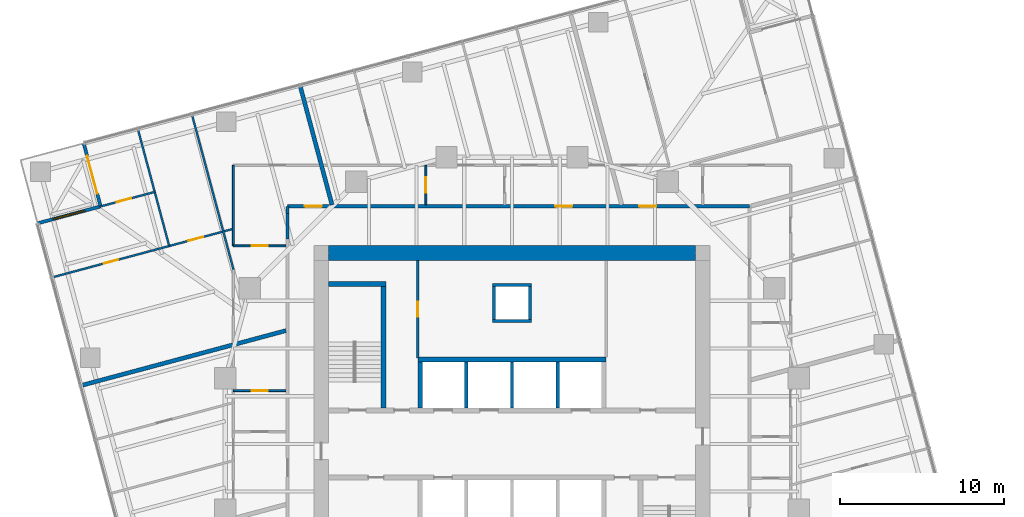
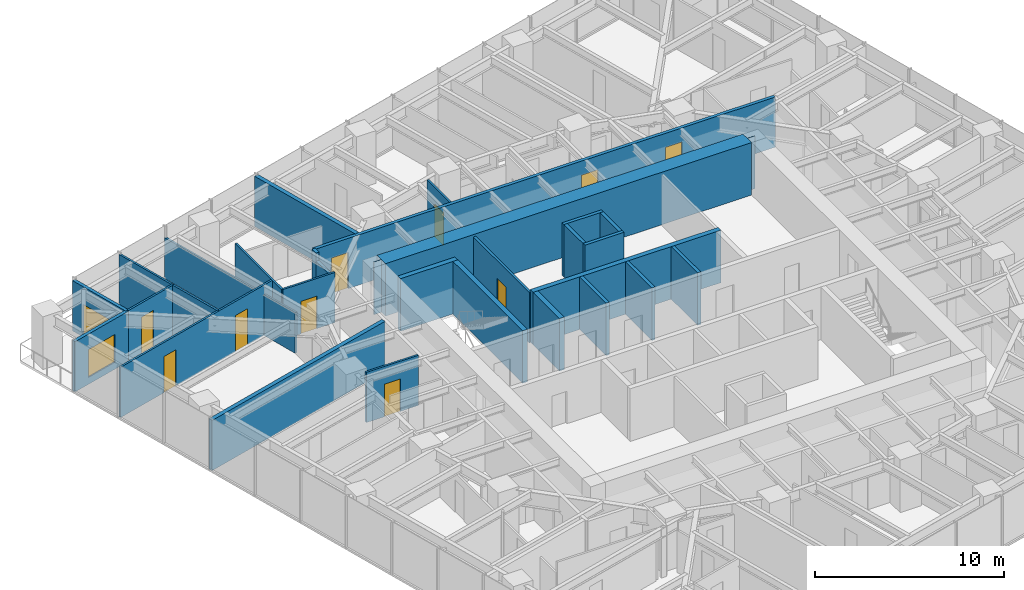
# One storey, part 11 of 13: 28 walls, 11 doors, 1 window, 12 openings.
"""IFC4 building model written with IfcOpenShell, lengths in metres."""

import ifcopenshell
import ifcopenshell.guid

model = None  # the IFC model being written
_history = None  # IfcOwnerHistory: only IFC2X3 demands one
_inside = {}  # id of a spatial element -> (the spatial element, [elements in it])
_under = {}  # id of a project, library or spatial element -> (it, [spatial elements below it])
_declared = {}  # id of a project -> (the project, [libraries it declares])
_typed = {}  # id of a type object -> (the type object, [elements of that type])
_made_of = {}  # id of a material, layer set ... -> (it, [elements and type objects made of it])


def new_model(schema):
    """Start an empty IFC model of exactly this schema.

    Asked for "IFC4X3", IfcOpenShell would pick the latest addendum, in which some entities
    have other attributes; the version numbers below select the first issue.
    IFC2X3 requires an IfcOwnerHistory on every rooted entity: one is made here for all.
    """
    global model, _history
    if schema == "IFC4X3":
        model = ifcopenshell.file(schema_version=(4, 3, 0, 0))
    else:
        model = ifcopenshell.file(schema=schema)
    _inside.clear()
    _under.clear()
    _declared.clear()
    _typed.clear()
    _made_of.clear()
    _history = None
    if model.schema == "IFC2X3":
        org = make("IfcOrganization", Name="unknown")
        user = make(
            "IfcPersonAndOrganization",
            ThePerson=make("IfcPerson", FamilyName="unknown"),
            TheOrganization=org,
        )
        app = make(
            "IfcApplication",
            ApplicationDeveloper=org,
            Version="unknown",
            ApplicationFullName="unknown",
            ApplicationIdentifier="unknown",
        )
        _history = make(
            "IfcOwnerHistory",
            OwningUser=user,
            OwningApplication=app,
            ChangeAction="ADDED",
            CreationDate=0,
        )
    return model


def make(cls, **values):
    """One entity of the class cls with the attributes given. An attribute that is None is left unset."""
    return model.create_entity(
        cls, **{name: value for name, value in values.items() if value is not None}
    )


def rooted(cls, **values):
    """An entity with a GlobalId (a new one), such as an element, a storey or a relation."""
    return make(cls, GlobalId=ifcopenshell.guid.new(), OwnerHistory=_history, **values)


def si_unit(unit_type, name, prefix=None):
    """IfcSIUnit, for example si_unit("LENGTHUNIT", "METRE", prefix="MILLI")."""
    return make("IfcSIUnit", UnitType=unit_type, Prefix=prefix, Name=name)


def assignment(units):
    """IfcUnitAssignment: the units of a project."""
    return None if units is None else make("IfcUnitAssignment", Units=units)


def point(xyz):
    """IfcCartesianPoint."""
    return None if xyz is None else make("IfcCartesianPoint", Coordinates=xyz)


def direction(xyz):
    """IfcDirection."""
    return None if xyz is None else make("IfcDirection", DirectionRatios=xyz)


def frame(location, z_axis=None, x_axis=None):
    """IfcAxis2Placement3D, a coordinate frame: its origin and axes. An axis left out is left unset."""
    return make(
        "IfcAxis2Placement3D",
        Location=point(location),
        Axis=direction(z_axis),
        RefDirection=direction(x_axis),
    )


def frame_2d(location, x_axis=None):
    """IfcAxis2Placement2D, a coordinate frame in the plane: its origin and x axis."""
    return make(
        "IfcAxis2Placement2D", Location=point(location), RefDirection=direction(x_axis)
    )


def origin():
    """The frame at (0, 0, 0) with its axes left unset."""
    return frame((0.0, 0.0, 0.0))


def place(relative_to, where):
    """IfcLocalPlacement: puts the frame where relative to a parent placement (None: the world)."""
    return make(
        "IfcLocalPlacement", PlacementRelTo=relative_to, RelativePlacement=where
    )


def context(
    kind, dimensions, precision=None, world=None, true_north=None, identifier=None
):
    """IfcGeometricRepresentationContext, for example the 3D "Model" context."""
    return make(
        "IfcGeometricRepresentationContext",
        ContextIdentifier=identifier,
        ContextType=kind,
        CoordinateSpaceDimension=dimensions,
        Precision=precision,
        WorldCoordinateSystem=world,
        TrueNorth=true_north,
    )


def subcontext(parent, identifier, kind, view, scale=None):
    """IfcGeometricRepresentationSubContext, for example "Body" below "Model"."""
    return make(
        "IfcGeometricRepresentationSubContext",
        ContextIdentifier=identifier,
        ContextType=kind,
        ParentContext=parent,
        TargetScale=scale,
        TargetView=view,
    )


def project(units=None, contexts=None):
    """IfcProject with its units and contexts."""
    return rooted(
        "IfcProject",
        Name="project",
        RepresentationContexts=contexts,
        UnitsInContext=assignment(units),
    )


def spatial(cls, under=None, at=None, **own):
    """A site, building, storey or space (cls), placed at a placement, below another one or the project."""
    s = rooted(cls, ObjectPlacement=at, **own)
    if under is not None:
        _under.setdefault(under.id(), (under, []))[1].append(s)
    return s


def polyline(points):
    """IfcPolyline through the points."""
    return make("IfcPolyline", Points=[point(p) for p in points])


def profile(cls, at=None, kind="AREA", **sizes):
    """A parametric profile (cls). Its sizes go by their IFC names, for example OverallWidth=200.0."""
    return make(cls, ProfileType=kind, Position=at, **sizes)


def rectangle(**sizes):
    """IfcRectangleProfileDef."""
    return profile("IfcRectangleProfileDef", **sizes)


def outline(outer, holes=None, kind="AREA"):
    """IfcArbitraryClosedProfileDef: a profile drawn as a closed curve; with holes, ...WithVoids."""
    if holes is None:
        return make("IfcArbitraryClosedProfileDef", ProfileType=kind, OuterCurve=outer)
    return make(
        "IfcArbitraryProfileDefWithVoids",
        ProfileType=kind,
        OuterCurve=outer,
        InnerCurves=holes,
    )


def extrude(swept, where, along, depth):
    """IfcExtrudedAreaSolid: the profile swept, set in the frame where, extruded along a direction by depth."""
    return make(
        "IfcExtrudedAreaSolid",
        SweptArea=swept,
        Position=where,
        ExtrudedDirection=direction(along),
        Depth=depth,
    )


def shape(context_of_items, identifier, shape_type, items):
    """IfcShapeRepresentation: the items that make up one representation, for example the "Body"."""
    return make(
        "IfcShapeRepresentation",
        ContextOfItems=context_of_items,
        RepresentationIdentifier=identifier,
        RepresentationType=shape_type,
        Items=items,
    )


def material(Name=None, Category=None):
    """IfcMaterial."""
    return make("IfcMaterial", Name=Name, Category=Category)


def layer(
    of_material, thickness, ventilated=None, Name=None, Category=None, Priority=None
):
    """IfcMaterialLayer: one layer of a wall or slab, of a material (None: an air gap)."""
    return make(
        "IfcMaterialLayer",
        Material=of_material,
        LayerThickness=thickness,
        IsVentilated=ventilated,
        Name=Name,
        Category=Category,
        Priority=Priority,
    )


def layer_set(layers, Name=None):
    """IfcMaterialLayerSet."""
    return make("IfcMaterialLayerSet", MaterialLayers=layers, LayerSetName=Name)


def made_of(thing, what):
    """Note that an element or type object is made of a material, layer set ...; save() writes the relation."""
    if what is not None:
        _made_of.setdefault(what.id(), (what, []))[1].append(thing)
    return thing


def type_object(cls, material=None, **own):
    """A type object (cls), such as IfcWallType, which elements share."""
    return made_of(rooted(cls, **own), material)


def element(
    cls,
    number,
    at=None,
    inside=None,
    cuts=None,
    type_object=None,
    material=None,
    context=None,
    identifier="Body",
    shape_type=None,
    held_by="IfcProductDefinitionShape",
    body=None,
    shapes=None,
    **own,
):
    """One element of the class cls, such as IfcWall. Its Tag is "e" and its number.

    at: its placement. inside: the storey or other place that contains it. cuts: it is an
    opening in that element (IfcRelVoidsElement). A single representation is given by context,
    identifier, shape_type and body (its items); several are given by shapes. held_by: the class
    of the entity that holds the representations. save() writes the other relations.
    """
    e = rooted(cls, Tag="e%d" % number, ObjectPlacement=at, **own)
    if body is not None:
        shapes = [shape(context, identifier, shape_type, body)]
    if shapes is not None:
        e.Representation = make(held_by, Representations=shapes)
    if inside is not None:
        _inside.setdefault(inside.id(), (inside, []))[1].append(e)
    if cuts is not None:
        rooted(
            "IfcRelVoidsElement", RelatingBuildingElement=cuts, RelatedOpeningElement=e
        )
    if type_object is not None:
        _typed.setdefault(type_object.id(), (type_object, []))[1].append(e)
    return made_of(e, material)


def fill(opening, filler):
    """IfcRelFillsElement: the door or window that sits in an opening."""
    return rooted(
        "IfcRelFillsElement",
        RelatingOpeningElement=opening,
        RelatedBuildingElement=filler,
    )


def aggregate(whole, parts):
    """IfcRelAggregates: a whole, such as a stair, and the parts it consists of."""
    return rooted("IfcRelAggregates", RelatingObject=whole, RelatedObjects=parts)


def save(model, path):
    """Write the relations noted so far, then the file.

    IfcRelAggregates (storeys below a building ...), IfcRelContainedInSpatialStructure (elements
    in a storey), IfcRelDefinesByType, IfcRelAssociatesMaterial and IfcRelDeclares: one each for
    every whole, place, type object, material and project.
    """
    for whole, parts in _under.values():
        aggregate(whole, parts)
    for where, things in _inside.values():
        rooted(
            "IfcRelContainedInSpatialStructure",
            RelatedElements=things,
            RelatingStructure=where,
        )
    for kind, things in _typed.values():
        rooted("IfcRelDefinesByType", RelatedObjects=things, RelatingType=kind)
    for what, things in _made_of.values():
        rooted("IfcRelAssociatesMaterial", RelatedObjects=things, RelatingMaterial=what)
    for by, libraries in _declared.values():
        rooted("IfcRelDeclares", RelatingContext=by, RelatedDefinitions=libraries)
    model.write(path)


model = new_model("IFC4")

# Units and contexts
model_context = context("Model", 3, precision=1e-05, world=origin(), true_north=direction((0.0, 1.0)))
body_context = subcontext(model_context, "Body", "Model", "MODEL_VIEW")
ifc_project = project(units=[si_unit("LENGTHUNIT", "METRE"), si_unit("AREAUNIT", "SQUARE_METRE"), si_unit("VOLUMEUNIT", "CUBIC_METRE"), si_unit("PLANEANGLEUNIT", "RADIAN"), si_unit("MASSUNIT", "GRAM", prefix="KILO")], contexts=[model_context])

# Site, building, storey
site_placement = place(None, origin())
site = spatial("IfcSite", under=ifc_project, at=site_placement, CompositionType="ELEMENT")
building_placement = place(site_placement, origin())
building = spatial("IfcBuilding", under=site, at=building_placement, Name="Torsade Residences", CompositionType="ELEMENT")
storey_placement = place(building_placement, frame((0.0, 0.0, 118.39990234375)))
storey = spatial("IfcBuildingStorey", under=building, at=storey_placement, Name="L32", CompositionType="ELEMENT", Elevation=118.39990234375)

# Walls
ifc_material_1 = material(Name="Concrete 80 MPa", Category="concrete")
ifc_layer_1 = layer(ifc_material_1, 0.300048828125)
ifc_layer_set_1 = layer_set([ifc_layer_1], Name="Concrete 80 MPa")
wall_type_1 = type_object("IfcWallType", Name="CORE INTERNAL WALL 300", PredefinedType="SHEAR", material=ifc_layer_set_1)
wall_1_placement = place(storey_placement, frame((34.25, 35.14990234375, 0.0), z_axis=(0.0, 0.0, 1.0), x_axis=(1.0, 0.0, 0.0)))
element("IfcWall", 1, at=wall_1_placement, inside=storey, type_object=wall_type_1, Name="Core wall BN L32", PredefinedType="SHEAR", context=body_context, shape_type="SweptSolid", body=[
    extrude(rectangle(XDim=11.5, YDim=0.300048828125, at=frame_2d((5.75, 0.0))), origin(), (0.0, 0.0, 1.0), 3.400146484375),
])
wall_2_placement = place(storey_placement, frame((34.39990234375, 32.199951171875, 0.0), z_axis=(0.0, 0.0, 1.0), x_axis=(0.0, 1.0, 0.0)))
element("IfcWall", 2, at=wall_2_placement, inside=storey, type_object=wall_type_1, Name="Core wall DN0 L32", PredefinedType="SHEAR", context=body_context, shape_type="SweptSolid", body=[
    extrude(rectangle(XDim=2.800048828125, YDim=0.300048828125, at=frame_2d((1.39990234375, 0.0))), origin(), (0.0, 0.0, 1.0), 3.400146484375),
])
wall_3_placement = place(storey_placement, frame((32.14990234375, 32.199951171875, 0.0), z_axis=(0.0, 0.0, 1.0), x_axis=(0.0, 1.0, 0.0)))
element("IfcWall", 3, at=wall_3_placement, inside=storey, type_object=wall_type_1, Name="Core wall ST1E L32", PredefinedType="SHEAR", context=body_context, shape_type="SweptSolid", body=[
    extrude(rectangle(XDim=7.699951171875, YDim=0.300048828125, at=frame_2d((3.85009765625, 0.0))), origin(), (0.0, 0.0, 1.0), 3.400146484375),
])
wall_4_placement = place(storey_placement, frame((28.800048828125, 39.75, 0.0), z_axis=(0.0, 0.0, 1.0), x_axis=(1.0, 0.0, 0.0)))
element("IfcWall", 4, at=wall_4_placement, inside=storey, type_object=wall_type_1, Name="Core wall ST1N L32", PredefinedType="SHEAR", context=body_context, shape_type="SweptSolid", body=[
    extrude(rectangle(XDim=3.5, YDim=0.300048828125, at=frame_2d((1.75, 0.0))), origin(), (0.0, 0.0, 1.0), 3.400146484375),
])
ifc_material_2 = material(Name="Concrete 80 MPa", Category="concrete")
ifc_layer_2 = layer(ifc_material_2, 0.89990234375)
ifc_layer_set_2 = layer_set([ifc_layer_2], Name="Concrete 80 MPa")
wall_type_2 = type_object("IfcWallType", Name="CORE WALL 900", PredefinedType="SHEAR", material=ifc_layer_set_2)
wall_5_placement = place(storey_placement, frame((28.800048828125, 41.64990234375, 0.0), z_axis=(0.0, 0.0, 1.0), x_axis=(1.0, 0.0, 0.0)))
element("IfcWall", 5, at=wall_5_placement, inside=storey, type_object=wall_type_2, Name="Core wall N L32", PredefinedType="SHEAR", context=body_context, shape_type="SweptSolid", body=[
    extrude(outline(polyline([(0.0, -0.449951171875), (22.39990234375, -0.449951171875), (22.39990234375, -0.02490234375), (22.849853515625, -0.02490234375), (22.849853515625, 0.02490234375), (22.39990234375, 0.02490234375), (22.39990234375, 0.449951171875), (0.0, 0.449951171875), (0.0, 0.02490234375), (-0.449951171875, 0.02490234375), (-0.449951171875, -0.02490234375), (0.0, -0.02490234375), (0.0, -0.449951171875)])), origin(), (0.0, 0.0, 1.0), 3.400146484375),
])

# Wall, openings, doors
ifc_material_3 = material(Name="Plasterboard on steel stud", Category="steel")
ifc_layer_3 = layer(ifc_material_3, 0.199951171875)
ifc_layer_set_3 = layer_set([ifc_layer_3], Name="Plasterboard on steel stud")
wall_type_3 = type_object("IfcWallType", Name="CORRIDOR WALL 200", PredefinedType="PARTITIONING", material=ifc_layer_set_3)
wall_6_placement = place(storey_placement, frame((54.5, 44.5, 0.0), z_axis=(0.0, 0.0, 1.0), x_axis=(-1.0, 0.0, 0.0)))
wall_6 = element("IfcWall", 6, at=wall_6_placement, inside=storey, type_object=wall_type_3, Name="Corridor wall L32", PredefinedType="PARTITIONING", context=body_context, shape_type="SweptSolid", body=[
    extrude(rectangle(XDim=28.199951171875, YDim=0.199951171875, at=frame_2d((14.10009765625, 0.0))), origin(), (0.0, 0.0, 1.0), 3.25),
])
opening_1_placement = place(wall_6_placement, frame((10.8369140625, 0.0, 0.0)))
opening_1 = element("IfcOpeningElement", 7, at=opening_1_placement, cuts=wall_6, Name="Opening D01", PredefinedType="OPENING", context=body_context, shape_type="SweptSolid", body=[
    extrude(rectangle(XDim=1.02001953125, YDim=2.340087890625, at=frame_2d((0.510009765625, 1.169921875))), frame((0.0, 0.10986328125, 0.0), z_axis=(0.0, -1.0, 0.0), x_axis=(1.0, 0.0, 0.0)), (0.0, 0.0, 1.0), 0.219970703125),
])
opening_2_placement = place(wall_6_placement, frame((5.699951171875, 0.0, 0.0)))
opening_2 = element("IfcOpeningElement", 8, at=opening_2_placement, cuts=wall_6, Name="Opening D01", PredefinedType="OPENING", context=body_context, shape_type="SweptSolid", body=[
    extrude(rectangle(XDim=1.02001953125, YDim=2.340087890625, at=frame_2d((0.510009765625, 1.169921875))), frame((0.0, 0.10986328125, 0.0), z_axis=(0.0, -1.0, 0.0), x_axis=(1.0, 0.0, 0.0)), (0.0, 0.0, 1.0), 0.219970703125),
])
opening_3_placement = place(wall_6_placement, frame((26.126953125, 0.0, 0.0)))
opening_3 = element("IfcOpeningElement", 9, at=opening_3_placement, cuts=wall_6, Name="Opening D01", PredefinedType="OPENING", context=body_context, shape_type="SweptSolid", body=[
    extrude(rectangle(XDim=1.02001953125, YDim=2.340087890625, at=frame_2d((0.510009765625, 1.169921875))), frame((0.0, 0.10986328125, 0.0), z_axis=(0.0, -1.0, 0.0), x_axis=(1.0, 0.0, 0.0)), (0.0, 0.0, 1.0), 0.219970703125),
])
ifc_material_4 = material(Name="Solid-core timber fire door", Category="wood")
door_type_1 = type_object("IfcDoorType", Name="APARTMENT ENTRY DOOR 1020x2340", OperationType="NOTDEFINED", PredefinedType="DOOR", material=ifc_material_4)
door_1_placement = place(opening_1_placement, origin())
door_1 = element("IfcDoor", 10, at=door_1_placement, inside=storey, type_object=door_type_1, Name="Door Residential corridor to Kitchen and dining", OperationType="SINGLE_SWING_RIGHT", OverallHeight=2.340087890625, OverallWidth=1.02001953125, PredefinedType="DOOR", context=body_context, shape_type="SweptSolid", body=[
    extrude(rectangle(XDim=1.02001953125, YDim=2.340087890625, at=frame_2d((0.510009765625, 1.169921875))), frame((0.0, 0.02490234375, 0.0), z_axis=(0.0, -1.0, 0.0), x_axis=(1.0, 0.0, 0.0)), (0.0, 0.0, 1.0), 0.050048828125),
])
fill(opening_1, door_1)
door_2_placement = place(opening_2_placement, origin())
door_2 = element("IfcDoor", 11, at=door_2_placement, inside=storey, type_object=door_type_1, Name="Door Residential corridor to Kitchen and dining", OperationType="SINGLE_SWING_RIGHT", OverallHeight=2.340087890625, OverallWidth=1.02001953125, PredefinedType="DOOR", context=body_context, shape_type="SweptSolid", body=[
    extrude(rectangle(XDim=1.02001953125, YDim=2.340087890625, at=frame_2d((0.510009765625, 1.169921875))), frame((0.0, 0.02490234375, 0.0), z_axis=(0.0, -1.0, 0.0), x_axis=(1.0, 0.0, 0.0)), (0.0, 0.0, 1.0), 0.050048828125),
])
fill(opening_2, door_2)
door_3_placement = place(opening_3_placement, origin())
door_3 = element("IfcDoor", 12, at=door_3_placement, inside=storey, type_object=door_type_1, Name="Door Residential corridor to Kitchen and dining", OperationType="SINGLE_SWING_RIGHT", OverallHeight=2.340087890625, OverallWidth=1.02001953125, PredefinedType="DOOR", context=body_context, shape_type="SweptSolid", body=[
    extrude(rectangle(XDim=1.02001953125, YDim=2.340087890625, at=frame_2d((0.510009765625, 1.169921875))), frame((0.0, 0.02490234375, 0.0), z_axis=(0.0, -1.0, 0.0), x_axis=(1.0, 0.0, 0.0)), (0.0, 0.0, 1.0), 0.050048828125),
])
fill(opening_3, door_3)

# Walls
wall_7_placement = place(storey_placement, frame((26.300048828125, 44.5, 0.0), z_axis=(0.0, 0.0, 1.0), x_axis=(0.0, -1.0, 0.0)))
element("IfcWall", 13, at=wall_7_placement, inside=storey, type_object=wall_type_3, Name="Corridor wall L32", PredefinedType="PARTITIONING", context=body_context, shape_type="SweptSolid", body=[
    extrude(rectangle(XDim=0.426025390625, YDim=0.199951171875, at=frame_2d((0.212890625, 0.0))), origin(), (0.0, 0.0, 1.0), 3.25),
])
wall_8_placement = place(storey_placement, frame((26.300048828125, 44.073974609375, 0.0), z_axis=(0.0, 0.0, 1.0), x_axis=(0.0, -1.0, 0.0)))
element("IfcWall", 14, at=wall_8_placement, inside=storey, type_object=wall_type_3, Name="Corridor wall L32", PredefinedType="PARTITIONING", context=body_context, shape_type="SweptSolid", body=[
    extrude(rectangle(XDim=1.553955078125, YDim=0.199951171875, at=frame_2d((0.77685546875, 0.0))), origin(), (0.0, 0.0, 1.0), 2.72216796875),
])
ifc_material_5 = material(Name="Reinforced blockwork", Category="masonry")
ifc_layer_4 = layer(ifc_material_5, 0.199951171875)
ifc_layer_set_4 = layer_set([ifc_layer_4], Name="Reinforced blockwork")
wall_type_4 = type_object("IfcWallType", Name="LIFT SHAFT DIVIDING WALL 200", PredefinedType="SOLIDWALL", material=ifc_layer_set_4)
for number, where, z_axis, x_axis, name in (
    (15, (37.199951171875, 32.199951171875, 0.0), (0.0, 0.0, 1.0), (0.0, 1.0, 0.0), "Core wall DN1 L32"),
    (16, (40.0, 32.199951171875, 0.0), (0.0, 0.0, 1.0), (0.0, 1.0, 0.0), "Core wall DN2 L32"),
    (17, (42.800048828125, 32.199951171875, 0.0), (0.0, 0.0, 1.0), (0.0, 1.0, 0.0), "Core wall DN3 L32"),
):
    element("IfcWall", number, at=place(storey_placement, frame(where, z_axis=z_axis, x_axis=x_axis)), inside=storey, type_object=wall_type_4, Name=name, PredefinedType="SOLIDWALL", context=body_context, shape_type="SweptSolid", body=[
        extrude(rectangle(XDim=2.800048828125, YDim=0.199951171875, at=frame_2d((1.39990234375, 0.0))), origin(), (0.0, 0.0, 1.0), 3.400146484375),
    ])

# Wall, opening, door
ifc_material_6 = material(Name="Plasterboard on steel stud", Category="steel")
ifc_layer_5 = layer(ifc_material_6, 0.1201171875)
ifc_layer_set_5 = layer_set([ifc_layer_5], Name="Plasterboard on steel stud")
wall_type_5 = type_object("IfcWallType", Name="PARTITION 120", PredefinedType="PARTITIONING", material=ifc_layer_set_5)
wall_9_placement = place(storey_placement, frame((34.74462890625, 47.0, 0.0), z_axis=(0.0, 0.0, 1.0), x_axis=(0.0, -1.0, 0.0)))
wall_9 = element("IfcWall", 18, at=wall_9_placement, inside=storey, type_object=wall_type_5, Name="Partition L32", PredefinedType="PARTITIONING", context=body_context, shape_type="SweptSolid", body=[
    extrude(rectangle(XDim=2.39990234375, YDim=0.1201171875, at=frame_2d((1.199951171875, 0.0))), origin(), (0.0, 0.0, 1.0), 3.25),
])
opening_4_placement = place(wall_9_placement, frame((0.719970703125, 0.0, 0.0)))
opening_4 = element("IfcOpeningElement", 19, at=opening_4_placement, cuts=wall_9, Name="Opening D05", PredefinedType="OPENING", context=body_context, shape_type="SweptSolid", body=[
    extrude(rectangle(XDim=0.9599609375, YDim=2.10009765625, at=frame_2d((0.47998046875, 1.050048828125))), frame((0.0, 0.070068359375, 0.0), z_axis=(0.0, -1.0, 0.0), x_axis=(1.0, 0.0, 0.0)), (0.0, 0.0, 1.0), 0.14013671875),
])
ifc_material_7 = material(Name="Hollow-core timber door in a steel cavity frame", Category="steel")
door_type_2 = type_object("IfcDoorType", Name="BATHROOM CAVITY SLIDING DOOR 960", OperationType="SLIDING_TO_LEFT", PredefinedType="DOOR", material=ifc_material_7)
door_4_placement = place(opening_4_placement, origin())
door_4 = element("IfcDoor", 20, at=door_4_placement, inside=storey, type_object=door_type_2, Name="Door Ensuite to Bathroom", OperationType="SLIDING_TO_LEFT", OverallHeight=2.10009765625, OverallWidth=0.9599609375, PredefinedType="DOOR", context=body_context, shape_type="SweptSolid", body=[
    extrude(rectangle(XDim=0.9599609375, YDim=2.10009765625, at=frame_2d((0.47998046875, 1.050048828125))), frame((0.0, 0.02490234375, 0.0), z_axis=(0.0, -1.0, 0.0), x_axis=(1.0, 0.0, 0.0)), (0.0, 0.0, 1.0), 0.050048828125),
])
fill(opening_4, door_4)

wall_10_placement = place(storey_placement, frame((26.199951171875, 42.088623046875, 0.0), z_axis=(0.0, 0.0, 1.0), x_axis=(-1.0, 0.0, 0.0)))
wall_10 = element("IfcWall", 21, at=wall_10_placement, inside=storey, type_object=wall_type_5, Name="Partition L32", PredefinedType="PARTITIONING", context=body_context, shape_type="SweptSolid", body=[
    extrude(rectangle(XDim=3.199951171875, YDim=0.1201171875, at=frame_2d((1.60009765625, 0.0))), origin(), (0.0, 0.0, 1.0), 3.25),
])
opening_5_placement = place(wall_10_placement, frame((1.1201171875, 0.0, 0.0)))
opening_5 = element("IfcOpeningElement", 22, at=opening_5_placement, cuts=wall_10, Name="Opening D05", PredefinedType="OPENING", context=body_context, shape_type="SweptSolid", body=[
    extrude(rectangle(XDim=0.9599609375, YDim=2.10009765625, at=frame_2d((0.47998046875, 1.050048828125))), frame((0.0, 0.070068359375, 0.0), z_axis=(0.0, -1.0, 0.0), x_axis=(1.0, 0.0, 0.0)), (0.0, 0.0, 1.0), 0.14013671875),
])
door_5_placement = place(opening_5_placement, origin())
door_5 = element("IfcDoor", 23, at=door_5_placement, inside=storey, type_object=door_type_2, Name="Door Kitchen and dining to Bathroom", OperationType="SLIDING_TO_LEFT", OverallHeight=2.10009765625, OverallWidth=0.9599609375, PredefinedType="DOOR", context=body_context, shape_type="SweptSolid", body=[
    extrude(rectangle(XDim=0.9599609375, YDim=2.10009765625, at=frame_2d((0.47998046875, 1.050048828125))), frame((0.0, 0.02490234375, 0.0), z_axis=(0.0, -1.0, 0.0), x_axis=(1.0, 0.0, 0.0)), (0.0, 0.0, 1.0), 0.050048828125),
])
fill(opening_5, door_5)

# Walls
wall_11_placement = place(storey_placement, frame((23.0, 42.088623046875, 0.0), z_axis=(0.0, 0.0, 1.0), x_axis=(0.0, 1.0, 0.0)))
element("IfcWall", 24, at=wall_11_placement, inside=storey, type_object=wall_type_5, Name="Partition L32", PredefinedType="PARTITIONING", context=body_context, shape_type="SweptSolid", body=[
    extrude(rectangle(XDim=4.911376953125, YDim=0.1201171875, at=frame_2d((2.45556640625, 0.0))), origin(), (0.0, 0.0, 1.0), 3.25),
])
wall_12_placement = place(storey_placement, frame((23.0, 40.6396484375, 0.0), z_axis=(0.0, 0.0, 1.0), x_axis=(-0.258790139317, 0.965933571108, 0.0)))
element("IfcWall", 25, at=wall_12_placement, inside=storey, type_object=wall_type_5, Name="Partition L32", PredefinedType="PARTITIONING", context=body_context, shape_type="SweptSolid", body=[
    extrude(rectangle(XDim=9.782958984375, YDim=0.1201171875, at=frame_2d((4.8916015625, 0.0))), origin(), (0.0, 0.0, 1.0), 2.63818359375),
])

# Wall, openings, doors
wall_13_placement = place(storey_placement, frame((11.951904296875, 40.17041015625, 0.0), z_axis=(0.0, 0.0, 1.0), x_axis=(0.965923183761, 0.258828906952, 0.0)))
wall_13 = element("IfcWall", 26, at=wall_13_placement, inside=storey, type_object=wall_type_5, Name="Partition L32", PredefinedType="PARTITIONING", context=body_context, shape_type="SweptSolid", body=[
    extrude(rectangle(XDim=11.437744140625, YDim=0.1201171875, at=frame_2d((5.71875, 0.0))), origin(), (0.0, 0.0, 1.0), 3.25),
])
opening_6_placement = place(wall_13_placement, frame((3.2333984375, 0.0, 0.0)))
opening_6 = element("IfcOpeningElement", 27, at=opening_6_placement, cuts=wall_13, Name="Opening D02", PredefinedType="OPENING", context=body_context, shape_type="SweptSolid", body=[
    extrude(rectangle(XDim=0.919921875, YDim=2.340087890625, at=frame_2d((0.4599609375, 1.169921875))), frame((0.0, 0.070068359375, 0.0), z_axis=(0.0, -1.0, 0.0), x_axis=(1.0, 0.0, 0.0)), (0.0, 0.0, 1.0), 0.14013671875),
])
opening_7_placement = place(wall_13_placement, frame((8.60009765625, 0.0, 0.0)))
opening_7 = element("IfcOpeningElement", 28, at=opening_7_placement, cuts=wall_13, Name="Opening D02", PredefinedType="OPENING", context=body_context, shape_type="SweptSolid", body=[
    extrude(rectangle(XDim=0.919921875, YDim=2.340087890625, at=frame_2d((0.4599609375, 1.169921875))), frame((0.0, 0.070068359375, 0.0), z_axis=(0.0, -1.0, 0.0), x_axis=(1.0, 0.0, 0.0)), (0.0, 0.0, 1.0), 0.14013671875),
])
ifc_material_8 = material(Name="Hollow-core timber door", Category="wood")
door_type_3 = type_object("IfcDoorType", Name="INTERNAL DOOR 920x2340", OperationType="NOTDEFINED", PredefinedType="DOOR", material=ifc_material_8)
door_6_placement = place(opening_6_placement, origin())
door_6 = element("IfcDoor", 29, at=door_6_placement, inside=storey, type_object=door_type_3, Name="Door Living room to Bedroom 3", OperationType="SINGLE_SWING_RIGHT", OverallHeight=2.340087890625, OverallWidth=0.919921875, PredefinedType="DOOR", context=body_context, shape_type="SweptSolid", body=[
    extrude(rectangle(XDim=0.919921875, YDim=2.340087890625, at=frame_2d((0.4599609375, 1.169921875))), frame((0.0, 0.02490234375, 0.0), z_axis=(0.0, -1.0, 0.0), x_axis=(1.0, 0.0, 0.0)), (0.0, 0.0, 1.0), 0.050048828125),
])
fill(opening_6, door_6)
door_7_placement = place(opening_7_placement, origin())
door_7 = element("IfcDoor", 30, at=door_7_placement, inside=storey, type_object=door_type_3, Name="Door Living room to Bedroom 2", OperationType="SINGLE_SWING_LEFT", OverallHeight=2.340087890625, OverallWidth=0.919921875, PredefinedType="DOOR", context=body_context, shape_type="SweptSolid", body=[
    extrude(rectangle(XDim=0.919921875, YDim=2.340087890625, at=frame_2d((0.4599609375, 1.169921875))), frame((0.0, 0.02490234375, 0.0), z_axis=(0.0, -1.0, 0.0), x_axis=(1.0, 0.0, 0.0)), (0.0, 0.0, 1.0), 0.050048828125),
])
fill(opening_7, door_7)

# Wall
wall_14_placement = place(storey_placement, frame((19.077392578125, 42.079833984375, 0.0), z_axis=(0.0, 0.0, 1.0), x_axis=(-0.258846923464, 0.965918355874, 0.0)))
element("IfcWall", 31, at=wall_14_placement, inside=storey, type_object=wall_type_5, Name="Partition L32", PredefinedType="PARTITIONING", context=body_context, shape_type="SweptSolid", body=[
    extrude(rectangle(XDim=7.376708984375, YDim=0.1201171875, at=frame_2d((3.6884765625, 0.0))), origin(), (0.0, 0.0, 1.0), 3.25),
])

# Wall, opening, door
wall_15_placement = place(storey_placement, frame((14.931396484375, 44.506103515625, 0.0), z_axis=(0.0, 0.0, 1.0), x_axis=(0.96593546512, 0.258783069815, 0.0)))
wall_15 = element("IfcWall", 32, at=wall_15_placement, inside=storey, type_object=wall_type_5, Name="Partition L32", PredefinedType="PARTITIONING", context=body_context, shape_type="SweptSolid", body=[
    extrude(rectangle(XDim=3.37646484375, YDim=0.1201171875, at=frame_2d((1.688232421875, 0.0))), origin(), (0.0, 0.0, 1.0), 3.25),
])
opening_8_placement = place(wall_15_placement, frame((0.971435546875, 0.0, 0.0)))
opening_8 = element("IfcOpeningElement", 33, at=opening_8_placement, cuts=wall_15, Name="Opening D02", PredefinedType="OPENING", context=body_context, shape_type="SweptSolid", body=[
    extrude(rectangle(XDim=0.919921875, YDim=2.340087890625, at=frame_2d((0.4599609375, 1.169921875))), frame((0.0, 0.070068359375, 0.0), z_axis=(0.0, -1.0, 0.0), x_axis=(1.0, 0.0, 0.0)), (0.0, 0.0, 1.0), 0.14013671875),
])
door_8_placement = place(opening_8_placement, origin())
door_8 = element("IfcDoor", 34, at=door_8_placement, inside=storey, type_object=door_type_3, Name="Door Bedroom 3 to Study", OperationType="SINGLE_SWING_RIGHT", OverallHeight=2.340087890625, OverallWidth=0.919921875, PredefinedType="DOOR", context=body_context, shape_type="SweptSolid", body=[
    extrude(rectangle(XDim=0.919921875, YDim=2.340087890625, at=frame_2d((0.4599609375, 1.169921875))), frame((0.0, 0.02490234375, 0.0), z_axis=(0.0, -1.0, 0.0), x_axis=(1.0, 0.0, 0.0)), (0.0, 0.0, 1.0), 0.050048828125),
])
fill(opening_8, door_8)

wall_16_placement = place(storey_placement, frame((26.199951171875, 33.2529296875, 0.0), z_axis=(0.0, 0.0, 1.0), x_axis=(-1.0, 0.0, 0.0)))
wall_16 = element("IfcWall", 35, at=wall_16_placement, inside=storey, type_object=wall_type_5, Name="Partition L32", PredefinedType="PARTITIONING", context=body_context, shape_type="SweptSolid", body=[
    extrude(rectangle(XDim=3.199951171875, YDim=0.1201171875, at=frame_2d((1.60009765625, 0.0))), origin(), (0.0, 0.0, 1.0), 3.25),
])
opening_9_placement = place(wall_16_placement, frame((1.1201171875, 0.0, 0.0)))
opening_9 = element("IfcOpeningElement", 36, at=opening_9_placement, cuts=wall_16, Name="Opening D05", PredefinedType="OPENING", context=body_context, shape_type="SweptSolid", body=[
    extrude(rectangle(XDim=0.9599609375, YDim=2.10009765625, at=frame_2d((0.47998046875, 1.050048828125))), frame((0.0, 0.070068359375, 0.0), z_axis=(0.0, -1.0, 0.0), x_axis=(1.0, 0.0, 0.0)), (0.0, 0.0, 1.0), 0.14013671875),
])
door_9_placement = place(opening_9_placement, origin())
door_9 = element("IfcDoor", 37, at=door_9_placement, inside=storey, type_object=door_type_2, Name="Door Ensuite to Bathroom", OperationType="SLIDING_TO_LEFT", OverallHeight=2.10009765625, OverallWidth=0.9599609375, PredefinedType="DOOR", context=body_context, shape_type="SweptSolid", body=[
    extrude(rectangle(XDim=0.9599609375, YDim=2.10009765625, at=frame_2d((0.47998046875, 1.050048828125))), frame((0.0, 0.02490234375, 0.0), z_axis=(0.0, -1.0, 0.0), x_axis=(1.0, 0.0, 0.0)), (0.0, 0.0, 1.0), 0.050048828125),
])
fill(opening_9, door_9)

# Walls
ifc_material_9 = material(Name="Masonry-lined stud party wall", Category="masonry")
ifc_layer_6 = layer(ifc_material_9, 0.25)
ifc_layer_set_6 = layer_set([ifc_layer_6], Name="Masonry-lined stud party wall")
wall_type_6 = type_object("IfcWallType", Name="PARTY WALL 250", PredefinedType="PARTITIONING", material=ifc_layer_set_6)
wall_17_placement = place(storey_placement, frame((27.058349609375, 51.896484375, 0.0), z_axis=(0.0, 0.0, 1.0), x_axis=(0.258822171171, -0.965924988656, 0.0)))
element("IfcWall", 38, at=wall_17_placement, inside=storey, type_object=wall_type_6, Name="Party wall L32", PredefinedType="PARTITIONING", context=body_context, shape_type="SweptSolid", body=[
    extrude(rectangle(XDim=7.560302734375, YDim=0.25, at=frame_2d((3.7802734375, 0.0))), origin(), (0.0, 0.0, 1.0), 3.25),
])
wall_18_placement = place(storey_placement, frame((13.681884765625, 33.5595703125, 0.0), z_axis=(0.0, 0.0, 1.0), x_axis=(0.965924854576, 0.258822671559, 0.0)))
element("IfcWall", 39, at=wall_18_placement, inside=storey, type_object=wall_type_6, Name="Party wall L32", PredefinedType="PARTITIONING", context=body_context, shape_type="SweptSolid", body=[
    extrude(rectangle(XDim=12.96630859375, YDim=0.25, at=frame_2d((6.483154296875, 0.0))), origin(), (0.0, 0.0, 1.0), 3.25),
])
ifc_material_10 = material(Name="Reinforced blockwork", Category="masonry")
ifc_layer_7 = layer(ifc_material_10, 0.199951171875)
ifc_layer_set_7 = layer_set([ifc_layer_7], Name="Reinforced blockwork")
wall_type_7 = type_object("IfcWallType", Name="RISER SHAFT WALL 200", PredefinedType="SOLIDWALL", material=ifc_layer_set_7)
for number, where, z_axis, x_axis, name in (
    (40, (38.89990234375, 37.60009765625, 0.0), (0.0, 0.0, 1.0), (0.0, 1.0, 0.0), "Core wall RS1a L32"),
    (41, (41.10009765625, 37.60009765625, 0.0), (0.0, 0.0, 1.0), (0.0, 1.0, 0.0), "Core wall RS1b L32"),
):
    element("IfcWall", number, at=place(storey_placement, frame(where, z_axis=z_axis, x_axis=x_axis)), inside=storey, type_object=wall_type_7, Name=name, PredefinedType="SOLIDWALL", context=body_context, shape_type="SweptSolid", body=[
        extrude(rectangle(XDim=2.0, YDim=0.199951171875, at=frame_2d((1.0, 0.0))), origin(), (0.0, 0.0, 1.0), 3.400146484375),
    ])
for number, where, z_axis, x_axis, name in (
    (42, (38.800048828125, 37.5, 0.0), (0.0, 0.0, 1.0), (1.0, 0.0, 0.0), "Core wall RS1c L32"),
    (43, (38.800048828125, 39.699951171875, 0.0), (0.0, 0.0, 1.0), (1.0, 0.0, 0.0), "Core wall RS1d L32"),
):
    element("IfcWall", number, at=place(storey_placement, frame(where, z_axis=z_axis, x_axis=x_axis)), inside=storey, type_object=wall_type_7, Name=name, PredefinedType="SOLIDWALL", context=body_context, shape_type="SweptSolid", body=[
        extrude(rectangle(XDim=2.39990234375, YDim=0.199951171875, at=frame_2d((1.199951171875, 0.0))), origin(), (0.0, 0.0, 1.0), 3.400146484375),
    ])

# Wall, opening, door
ifc_material_11 = material(Name="Reinforced blockwork", Category="masonry")
ifc_layer_8 = layer(ifc_material_11, 0.14990234375)
ifc_layer_set_8 = layer_set([ifc_layer_8], Name="Reinforced blockwork")
wall_type_8 = type_object("IfcWallType", Name="SERVICE ROOM WALL 150", PredefinedType="SOLIDWALL", material=ifc_layer_set_8)
wall_19_placement = place(storey_placement, frame((34.25, 41.199951171875, 0.0), z_axis=(0.0, 0.0, 1.0), x_axis=(0.0, -1.0, 0.0)))
wall_19 = element("IfcWall", 44, at=wall_19_placement, inside=storey, type_object=wall_type_8, Name="Service room wall L32", PredefinedType="SOLIDWALL", context=body_context, shape_type="SweptSolid", body=[
    extrude(rectangle(XDim=5.949951171875, YDim=0.14990234375, at=frame_2d((2.97509765625, 0.0))), origin(), (0.0, 0.0, 1.0), 3.25),
])
opening_10_placement = place(wall_19_placement, frame((2.514892578125, 0.0, 0.0)))
opening_10 = element("IfcOpeningElement", 45, at=opening_10_placement, cuts=wall_19, Name="Opening D06", PredefinedType="OPENING", context=body_context, shape_type="SweptSolid", body=[
    extrude(rectangle(XDim=0.919921875, YDim=2.10009765625, at=frame_2d((0.4599609375, 1.050048828125))), frame((0.0, 0.0849609375, 0.0), z_axis=(0.0, -1.0, 0.0), x_axis=(1.0, 0.0, 0.0)), (0.0, 0.0, 1.0), 0.169921875),
])
ifc_material_12 = material(Name="Steel-framed fire door", Category="steel")
door_type_4 = type_object("IfcDoorType", Name="FIRE DOOR 920", OperationType="NOTDEFINED", PredefinedType="DOOR", material=ifc_material_12)
door_10_placement = place(opening_10_placement, origin())
door_10 = element("IfcDoor", 46, at=door_10_placement, inside=storey, type_object=door_type_4, Name="Door Meter store to Electrical riser room", OperationType="SINGLE_SWING_LEFT", OverallHeight=2.10009765625, OverallWidth=0.919921875, PredefinedType="DOOR", context=body_context, shape_type="SweptSolid", body=[
    extrude(rectangle(XDim=0.919921875, YDim=2.10009765625, at=frame_2d((0.4599609375, 1.050048828125))), frame((0.0, 0.02490234375, 0.0), z_axis=(0.0, -1.0, 0.0), x_axis=(1.0, 0.0, 0.0)), (0.0, 0.0, 1.0), 0.050048828125),
])
fill(opening_10, door_10)

ifc_material_13 = material(Name="Stone-faced precast concrete 40 MPa panel", Category="masonry")
ifc_layer_9 = layer(ifc_material_13, 0.199951171875)
ifc_layer_set_9 = layer_set([ifc_layer_9], Name="Stone-faced precast concrete 40 MPa panel")
wall_type_9 = type_object("IfcWallType", Name="TERRACE WALL 200", PredefinedType="SOLIDWALL", material=ifc_layer_set_9)
wall_20_placement = place(storey_placement, frame((13.857421875, 48.359375, 0.0), z_axis=(0.0, 0.0, 1.0), x_axis=(0.258843877716, -0.965919172068, 0.0)))
wall_20 = element("IfcWall", 47, at=wall_20_placement, inside=storey, type_object=wall_type_9, Name="Terrace wall L32 8", PredefinedType="SOLIDWALL", context=body_context, shape_type="SweptSolid", body=[
    extrude(rectangle(XDim=4.0, YDim=0.199951171875, at=frame_2d((2.0, 0.0))), origin(), (0.0, 0.0, 1.0), 3.25),
])
opening_11_placement = place(wall_20_placement, frame((0.800048828125, 0.0, 0.0)))
opening_11 = element("IfcOpeningElement", 48, at=opening_11_placement, cuts=wall_20, Name="Opening D10A", PredefinedType="OPENING", context=body_context, shape_type="SweptSolid", body=[
    extrude(rectangle(XDim=2.39990234375, YDim=2.10009765625, at=frame_2d((1.199951171875, 1.050048828125))), frame((0.0, 0.10986328125, 0.0), z_axis=(0.0, -1.0, 0.0), x_axis=(1.0, 0.0, 0.0)), (0.0, 0.0, 1.0), 0.219970703125),
])
ifc_material_14 = material(Name="Aluminium-framed glass door", Category="aluminium")
door_type_5 = type_object("IfcDoorType", Name="TERRACE SLIDING DOOR 2400x2100", OperationType="SLIDING_TO_LEFT", PredefinedType="DOOR", material=ifc_material_14)
door_11_placement = place(opening_11_placement, origin())
door_11 = element("IfcDoor", 49, at=door_11_placement, inside=storey, type_object=door_type_5, Name="Terrace door L32 8", OperationType="SLIDING_TO_LEFT", OverallHeight=2.10009765625, OverallWidth=2.39990234375, PredefinedType="DOOR", context=body_context, shape_type="SweptSolid", body=[
    extrude(rectangle(XDim=2.39990234375, YDim=2.10009765625, at=frame_2d((1.199951171875, 1.050048828125))), frame((0.0, 0.02490234375, 0.0), z_axis=(0.0, -1.0, 0.0), x_axis=(1.0, 0.0, 0.0)), (0.0, 0.0, 1.0), 0.050048828125),
])
fill(opening_11, door_11)

# Wall, opening, window
wall_21_placement = place(storey_placement, frame((14.892822265625, 44.49560546875, 0.0), z_axis=(0.0, 0.0, 1.0), x_axis=(-0.965934430412, -0.258786931944, 0.0)))
wall_21 = element("IfcWall", 50, at=wall_21_placement, inside=storey, type_object=wall_type_9, Name="Terrace wall L32 9", PredefinedType="SOLIDWALL", context=body_context, shape_type="SweptSolid", body=[
    extrude(rectangle(XDim=4.0, YDim=0.199951171875, at=frame_2d((2.0, 0.0))), origin(), (0.0, 0.0, 1.0), 3.25),
])
opening_12_placement = place(wall_21_placement, frame((1.0, 0.0, 0.449951171875)))
opening_12 = element("IfcOpeningElement", 51, at=opening_12_placement, cuts=wall_21, Name="Opening W1B", PredefinedType="OPENING", context=body_context, shape_type="SweptSolid", body=[
    extrude(rectangle(XDim=2.0, YDim=1.800048828125, at=frame_2d((1.0, 0.89990234375))), frame((0.0, 0.10986328125, 0.0), z_axis=(0.0, -1.0, 0.0), x_axis=(1.0, 0.0, 0.0)), (0.0, 0.0, 1.0), 0.219970703125),
])
ifc_material_15 = material(Name="Aluminium-framed glass window", Category="aluminium")
window_type = type_object("IfcWindowType", Name="TERRACE WINDOW 2000x1800", PartitioningType="SINGLE_PANEL", PredefinedType="WINDOW", material=ifc_material_15)
window_placement = place(opening_12_placement, origin())
window = element("IfcWindow", 52, at=window_placement, inside=storey, type_object=window_type, Name="Terrace window L32 9", OverallHeight=1.800048828125, OverallWidth=2.0, PartitioningType="SINGLE_PANEL", PredefinedType="WINDOW", context=body_context, shape_type="SweptSolid", body=[
    extrude(rectangle(XDim=2.0, YDim=1.800048828125, at=frame_2d((1.0, 0.89990234375))), frame((0.0, 0.030029296875, 0.0), z_axis=(0.0, -1.0, 0.0), x_axis=(1.0, 0.0, 0.0)), (0.0, 0.0, 1.0), 0.06005859375),
])
fill(opening_12, window)

save(model, "model.ifc")
